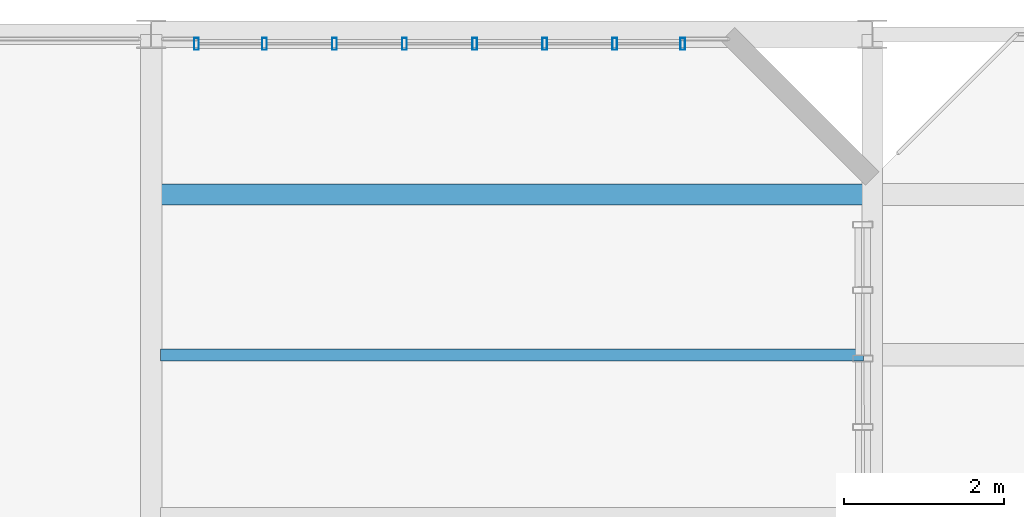
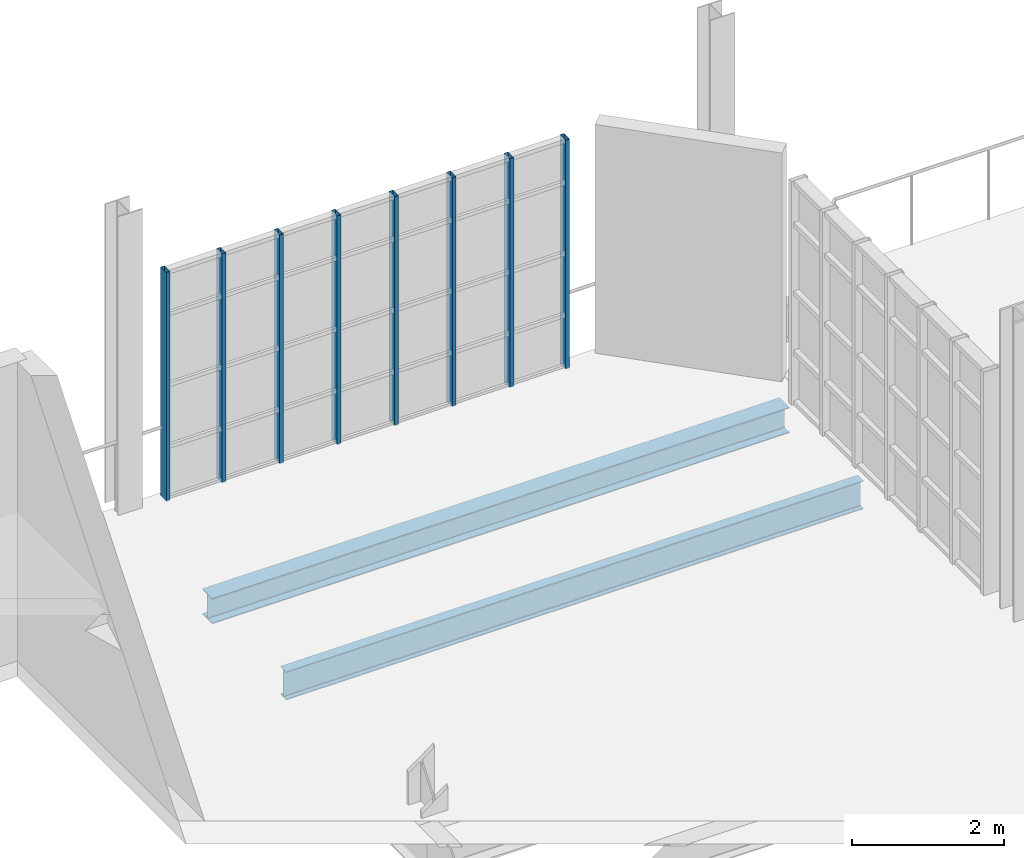
# One storey, part 50 of 85: 8 members, 2 beams, 1 element without a shape of its own.
"""IFC4 building model written with IfcOpenShell, lengths in metres."""

from ifc_helpers import new_model, si_unit, direction, frame, origin, origin_2d, place, context, subcontext, project, spatial, hollow_rectangle, i_section, extrude, material, layer, layer_set, material_profile, profile_set, type_object, element, aggregate, save


model = new_model("IFC4")

# Units and contexts
model_context = context("Model", 3, precision=1e-05, world=origin(), true_north=direction((0.0, 1.0)))
body_context = subcontext(model_context, "Body", "Model", "MODEL_VIEW")
ifc_project = project(units=[si_unit("LENGTHUNIT", "METRE"), si_unit("AREAUNIT", "SQUARE_METRE"), si_unit("VOLUMEUNIT", "CUBIC_METRE"), si_unit("PLANEANGLEUNIT", "RADIAN"), si_unit("MASSUNIT", "GRAM", prefix="KILO"), si_unit("THERMODYNAMICTEMPERATUREUNIT", "KELVIN"), si_unit("POWERUNIT", "WATT")], contexts=[model_context])

# Site, building, storey
site_placement = place(None, origin())
site = spatial("IfcSite", under=ifc_project, at=site_placement, CompositionType="ELEMENT")
building_placement = place(site_placement, origin())
building = spatial("IfcBuilding", under=site, at=building_placement, Name="Zelmaris Science Centre", CompositionType="ELEMENT")
storey_placement = place(building_placement, frame((0.0, 0.0, 20.39990234375)))
storey = spatial("IfcBuildingStorey", under=building, at=storey_placement, Name="L04", CompositionType="ELEMENT", Elevation=20.39990234375)

# Curtain wall, members
ifc_material_1 = material(Name="Anodised architectural aluminium 6063-T6", Category="aluminium")
ifc_layer = layer(ifc_material_1, 0.219970703125, Name="Anodised architectural aluminium 6063-T6")
ifc_layer_set = layer_set([ifc_layer], Name="Anodised architectural aluminium 6063-T6")
curtain_wall_type = type_object("IfcCurtainWallType", Name="Curtain Wall CW-04", PredefinedType="USERDEFINED", material=ifc_layer_set)
curtain_wall_placement = place(storey_placement, origin())
curtain_wall = element("IfcCurtainWall", 1, at=curtain_wall_placement, inside=storey, type_object=curtain_wall_type, Name="L04 Unitised curtain wall 344", ObjectType="GLAZED CURTAIN WALL", PredefinedType="USERDEFINED")
ifc_material_profile_1 = material_profile(ifc_material_1, hollow_rectangle(XDim=0.06005859375, YDim=0.14990234375, WallThickness=0.00341796875, at=origin_2d()), Name="ALU-MUL-60X150")
ifc_profile_set_1 = profile_set([ifc_material_profile_1], Name="Anodised architectural aluminium 6063-T6")
member_type = type_object("IfcMemberType", Name="ALU-MUL-60X150", PredefinedType="MULLION", material=ifc_profile_set_1)
member_1_placement = place(storey_placement, frame((72.56591796875, 87.8798828125, -0.014892578125), z_axis=(0.0, 0.0, 1.0), x_axis=(1.0, 0.0, 0.0)))
member_1 = element("IfcMember", 2, at=member_1_placement, type_object=member_type, Name="CW-04 mullion 1", PredefinedType="MULLION", context=body_context, shape_type="SweptSolid", body=[
    extrude(hollow_rectangle(XDim=0.06005859375, YDim=0.14990234375, WallThickness=0.00341796875, at=origin_2d()), origin(), (0.0, 0.0, 1.0), 3.678955078125),
])
member_2_placement = place(storey_placement, frame((73.414306640625, 87.8798828125, -0.014892578125), z_axis=(0.0, 0.0, 1.0), x_axis=(1.0, 0.0, 0.0)))
member_2 = element("IfcMember", 3, at=member_2_placement, type_object=member_type, Name="CW-04 mullion 2", PredefinedType="MULLION", context=body_context, shape_type="SweptSolid", body=[
    extrude(hollow_rectangle(XDim=0.06005859375, YDim=0.14990234375, WallThickness=0.00341796875, at=origin_2d()), origin(), (0.0, 0.0, 1.0), 3.678955078125),
])
member_3_placement = place(storey_placement, frame((74.28857421875, 87.8798828125, -0.014892578125), z_axis=(0.0, 0.0, 1.0), x_axis=(1.0, 0.0, 0.0)))
member_3 = element("IfcMember", 4, at=member_3_placement, type_object=member_type, Name="CW-04 mullion 3", PredefinedType="MULLION", context=body_context, shape_type="SweptSolid", body=[
    extrude(hollow_rectangle(XDim=0.06005859375, YDim=0.14990234375, WallThickness=0.00341796875, at=origin_2d()), origin(), (0.0, 0.0, 1.0), 3.678955078125),
])
member_4_placement = place(storey_placement, frame((75.162841796875, 87.8798828125, -0.014892578125), z_axis=(0.0, 0.0, 1.0), x_axis=(1.0, 0.0, 0.0)))
member_4 = element("IfcMember", 5, at=member_4_placement, type_object=member_type, Name="CW-04 mullion 4", PredefinedType="MULLION", context=body_context, shape_type="SweptSolid", body=[
    extrude(hollow_rectangle(XDim=0.06005859375, YDim=0.14990234375, WallThickness=0.00341796875, at=origin_2d()), origin(), (0.0, 0.0, 1.0), 3.678955078125),
])
member_5_placement = place(storey_placement, frame((76.037109375, 87.8798828125, -0.014892578125), z_axis=(0.0, 0.0, 1.0), x_axis=(1.0, 0.0, 0.0)))
member_5 = element("IfcMember", 6, at=member_5_placement, type_object=member_type, Name="CW-04 mullion 5", PredefinedType="MULLION", context=body_context, shape_type="SweptSolid", body=[
    extrude(hollow_rectangle(XDim=0.06005859375, YDim=0.14990234375, WallThickness=0.00341796875, at=origin_2d()), origin(), (0.0, 0.0, 1.0), 3.678955078125),
])
member_6_placement = place(storey_placement, frame((76.911376953125, 87.8798828125, -0.014892578125), z_axis=(0.0, 0.0, 1.0), x_axis=(1.0, 0.0, 0.0)))
member_6 = element("IfcMember", 7, at=member_6_placement, type_object=member_type, Name="CW-04 mullion 6", PredefinedType="MULLION", context=body_context, shape_type="SweptSolid", body=[
    extrude(hollow_rectangle(XDim=0.06005859375, YDim=0.14990234375, WallThickness=0.00341796875, at=origin_2d()), origin(), (0.0, 0.0, 1.0), 3.678955078125),
])
member_7_placement = place(storey_placement, frame((77.78564453125, 87.8798828125, -0.014892578125), z_axis=(0.0, 0.0, 1.0), x_axis=(1.0, 0.0, 0.0)))
member_7 = element("IfcMember", 8, at=member_7_placement, type_object=member_type, Name="CW-04 mullion 7", PredefinedType="MULLION", context=body_context, shape_type="SweptSolid", body=[
    extrude(hollow_rectangle(XDim=0.06005859375, YDim=0.14990234375, WallThickness=0.00341796875, at=origin_2d()), origin(), (0.0, 0.0, 1.0), 3.678955078125),
])
member_8_placement = place(storey_placement, frame((78.634033203125, 87.8798828125, -0.014892578125), z_axis=(0.0, 0.0, 1.0), x_axis=(1.0, 0.0, 0.0)))
member_8 = element("IfcMember", 9, at=member_8_placement, type_object=member_type, Name="CW-04 mullion 8", PredefinedType="MULLION", context=body_context, shape_type="SweptSolid", body=[
    extrude(hollow_rectangle(XDim=0.06005859375, YDim=0.14990234375, WallThickness=0.00341796875, at=origin_2d()), origin(), (0.0, 0.0, 1.0), 3.678955078125),
])
aggregate(curtain_wall, [member_1, member_2, member_3, member_4, member_5, member_6, member_7, member_8])

# Beams
ifc_material_2 = material(Name="Steel ASTM A992 Grade 50", Category="steel")
ifc_material_profile_2 = material_profile(ifc_material_2, i_section(OverallWidth=0.152099609375, OverallDepth=0.455078125, WebThickness=0.008056640625, FlangeThickness=0.01318359375, FilletRadius=0.012939453125, at=origin_2d()), Name="W18X40")
ifc_profile_set_2 = profile_set([ifc_material_profile_2], Name="Steel ASTM A992 Grade 50")
beam_type_1 = type_object("IfcBeamType", Name="Beam J-05 W18X40", PredefinedType="JOIST", material=ifc_profile_set_2)
beam_1_placement = place(storey_placement, frame((72.118408203125, 84.0, -0.477294921875), z_axis=(1.0, 0.0, 0.0), x_axis=(0.0, 1.0, 0.0)))
element("IfcBeam", 10, at=beam_1_placement, inside=storey, type_object=beam_type_1, Name="L04 Composite floor joist 400", PredefinedType="JOIST", context=body_context, shape_type="SweptSolid", body=[
    extrude(i_section(OverallWidth=0.152099609375, OverallDepth=0.455078125, WebThickness=0.008056640625, FlangeThickness=0.01318359375, FilletRadius=0.012939453125, at=origin_2d()), origin(), (0.0, 0.0, 1.0), 8.76953125),
])
ifc_material_profile_3 = material_profile(ifc_material_2, i_section(OverallWidth=0.260009765625, OverallDepth=0.4140625, WebThickness=0.010009765625, FlangeThickness=0.016845703125, FilletRadius=0.011962890625, at=origin_2d()), Name="W16X67")
ifc_profile_set_3 = profile_set([ifc_material_profile_3], Name="Steel ASTM A992 Grade 50")
beam_type_2 = type_object("IfcBeamType", Name="Beam J-06 W16X67", PredefinedType="JOIST", material=ifc_profile_set_3)
beam_2_placement = place(storey_placement, frame((72.118408203125, 86.0, -0.456787109375), z_axis=(1.0, 0.0, 0.0), x_axis=(0.0, 1.0, 0.0)))
element("IfcBeam", 11, at=beam_2_placement, inside=storey, type_object=beam_type_2, Name="L04 Composite floor joist 401", PredefinedType="JOIST", context=body_context, shape_type="SweptSolid", body=[
    extrude(i_section(OverallWidth=0.260009765625, OverallDepth=0.4140625, WebThickness=0.010009765625, FlangeThickness=0.016845703125, FilletRadius=0.011962890625, at=origin_2d()), origin(), (0.0, 0.0, 1.0), 8.76953125),
])

save(model, "model.ifc")
